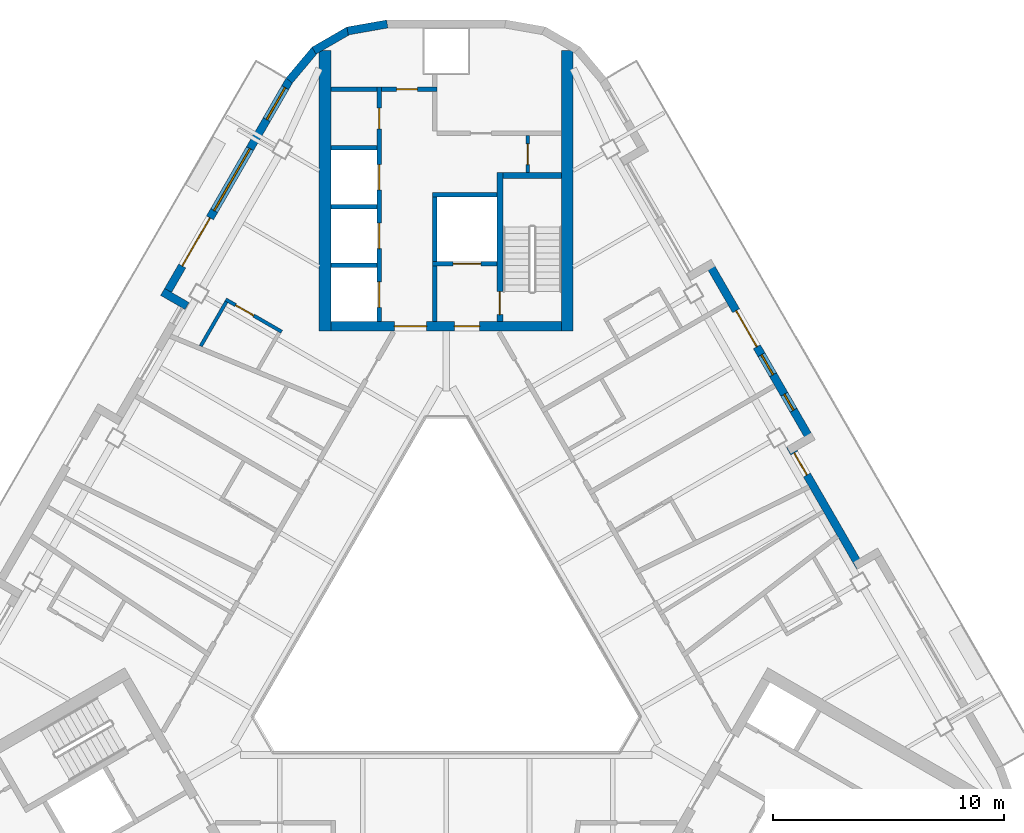
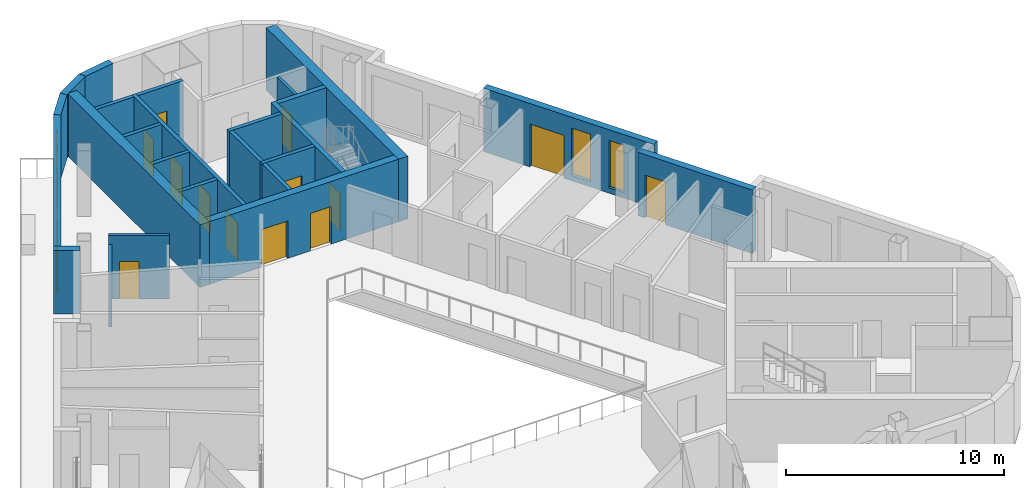
# One storey, part 7 of 13: 25 walls, 14 doors, 4 windows, 18 openings.
"""IFC4 building model written with IfcOpenShell, lengths in metres."""

from ifc_helpers import new_model, si_unit, direction, frame, frame_2d, origin, place, context, subcontext, project, spatial, rectangle, extrude, material, layer, layer_set, type_object, element, fill, save


model = new_model("IFC4")

# Units and contexts
model_context = context("Model", 3, precision=1e-05, world=origin(), true_north=direction((0.0, 1.0)))
body_context = subcontext(model_context, "Body", "Model", "MODEL_VIEW")
ifc_project = project(units=[si_unit("LENGTHUNIT", "METRE"), si_unit("AREAUNIT", "SQUARE_METRE"), si_unit("VOLUMEUNIT", "CUBIC_METRE"), si_unit("PLANEANGLEUNIT", "RADIAN"), si_unit("MASSUNIT", "GRAM", prefix="KILO")], contexts=[model_context])

# Site, building, storey
site_placement = place(None, origin())
site = spatial("IfcSite", under=ifc_project, at=site_placement, CompositionType="ELEMENT")
building_placement = place(site_placement, origin())
building = spatial("IfcBuilding", under=site, at=building_placement, Name="Apuvela Tower Hotel", CompositionType="ELEMENT")
storey_placement = place(building_placement, frame((0.0, 0.0, 283.699951171875)))
storey = spatial("IfcBuildingStorey", under=building, at=storey_placement, Name="L70", CompositionType="ELEMENT", Elevation=283.699951171875)

# Wall, openings, doors
ifc_material_1 = material(Name="Concrete C50/60", Category="concrete")
ifc_layer_1 = layer(ifc_material_1, 0.39990234375)
ifc_layer_set_1 = layer_set([ifc_layer_1], Name="COR-WALL-CORE-400")
wall_type_1 = type_object("IfcWallType", Name="COR-WALL-CORE-400", PredefinedType="SHEAR", material=ifc_layer_set_1)
wall_1_placement = place(storey_placement, frame((5.0, 13.10009765625, 0.0), z_axis=(0.0, 0.0, 1.0), x_axis=(-1.0, 0.0, 0.0)))
wall_1 = element("IfcWall", 1, at=wall_1_placement, inside=storey, type_object=wall_type_1, Name="Core wall N", PredefinedType="SHEAR", context=body_context, shape_type="SweptSolid", body=[
    extrude(rectangle(XDim=10.0, YDim=0.39990234375, at=frame_2d((5.0, 0.0))), origin(), (0.0, 0.0, 1.0), 3.5),
])
opening_1_placement = place(wall_1_placement, frame((3.550048828125, 0.0, 0.0)))
opening_1 = element("IfcOpeningElement", 2, at=opening_1_placement, cuts=wall_1, Name="Opening N-FD", PredefinedType="OPENING", context=body_context, shape_type="SweptSolid", body=[
    extrude(rectangle(XDim=1.10009765625, YDim=2.10009765625, at=frame_2d((0.550048828125, 1.050048828125))), frame((0.0, 0.2099609375, 0.0), z_axis=(0.0, -1.0, 0.0), x_axis=(1.0, 0.0, 0.0)), (0.0, 0.0, 1.0), 0.419921875),
])
opening_2_placement = place(wall_1_placement, frame((5.85009765625, 0.0, 0.0)))
opening_2 = element("IfcOpeningElement", 3, at=opening_2_placement, cuts=wall_1, Name="Opening N-GD", PredefinedType="OPENING", context=body_context, shape_type="SweptSolid", body=[
    extrude(rectangle(XDim=1.39990234375, YDim=2.10009765625, at=frame_2d((0.699951171875, 1.050048828125))), frame((0.0, 0.2099609375, 0.0), z_axis=(0.0, -1.0, 0.0), x_axis=(1.0, 0.0, 0.0)), (0.0, 0.0, 1.0), 0.419921875),
])
ifc_material_2 = material(Name="Steel fire door, powder coated", Category="steel")
door_type_1 = type_object("IfcDoorType", Name="COR-FD-1100", OperationType="NOTDEFINED", PredefinedType="DOOR", material=ifc_material_2)
door_1_placement = place(opening_1_placement, frame((1.10009765625, 0.0, 0.0), z_axis=(0.0, 0.0, 1.0), x_axis=(-1.0, 0.0, 0.0)))
door_1 = element("IfcDoor", 4, at=door_1_placement, inside=storey, type_object=door_type_1, Name="Firefighting lobby door N-FD", OperationType="SINGLE_SWING_LEFT", OverallHeight=2.10009765625, OverallWidth=1.10009765625, PredefinedType="DOOR", context=body_context, shape_type="SweptSolid", body=[
    extrude(rectangle(XDim=1.10009765625, YDim=2.10009765625, at=frame_2d((0.550048828125, 1.050048828125))), frame((0.0, 0.02490234375, 0.0), z_axis=(0.0, -1.0, 0.0), x_axis=(1.0, 0.0, 0.0)), (0.0, 0.0, 1.0), 0.050048828125),
])
fill(opening_1, door_1)
ifc_material_3 = material(Name="Glazed steel fire door", Category="steel")
door_type_2 = type_object("IfcDoorType", Name="COR-GD-1400", OperationType="DOUBLE_DOOR_SINGLE_SWING", PredefinedType="DOOR", material=ifc_material_3)
door_2_placement = place(opening_2_placement, frame((1.39990234375, 0.0, 0.0), z_axis=(0.0, 0.0, 1.0), x_axis=(-1.0, 0.0, 0.0)))
door_2 = element("IfcDoor", 5, at=door_2_placement, inside=storey, type_object=door_type_2, Name="Lift lobby door N-GD", OperationType="DOUBLE_DOOR_SINGLE_SWING", OverallHeight=2.10009765625, OverallWidth=1.39990234375, PredefinedType="DOOR", context=body_context, shape_type="SweptSolid", body=[
    extrude(rectangle(XDim=1.39990234375, YDim=2.10009765625, at=frame_2d((0.699951171875, 1.050048828125))), frame((0.0, 0.02490234375, 0.0), z_axis=(0.0, -1.0, 0.0), x_axis=(1.0, 0.0, 0.0)), (0.0, 0.0, 1.0), 0.050048828125),
])
fill(opening_2, door_2)

# Walls
ifc_layer_2 = layer(ifc_material_1, 0.5)
ifc_layer_set_2 = layer_set([ifc_layer_2], Name="COR-WALL-CORE-500")
wall_type_2 = type_object("IfcWallType", Name="COR-WALL-CORE-500", PredefinedType="SHEAR", material=ifc_layer_set_2)
for number, where, z_axis, x_axis, name in (
    (6, (5.25, 12.89990234375, 0.0), (0.0, 0.0, 1.0), (0.0, 1.0, 0.0), "Core wall N"),
    (7, (-5.25, 12.89990234375, 0.0), (0.0, 0.0, 1.0), (0.0, 1.0, 0.0), "Core wall N"),
):
    element("IfcWall", number, at=place(storey_placement, frame(where, z_axis=z_axis, x_axis=x_axis)), inside=storey, type_object=wall_type_2, Name=name, PredefinedType="SHEAR", context=body_context, shape_type="SweptSolid", body=[
        extrude(rectangle(XDim=12.12890625, YDim=0.5, at=frame_2d((6.064453125, 0.0))), origin(), (0.0, 0.0, 1.0), 3.5),
    ])

# Wall, opening, door
ifc_material_4 = material(Name="Blockwork 150 mm plastered", Category="masonry")
ifc_layer_3 = layer(ifc_material_4, 0.14990234375)
ifc_layer_set_3 = layer_set([ifc_layer_3], Name="COR-WALL-PART-150")
wall_type_3 = type_object("IfcWallType", Name="COR-WALL-PART-150", PredefinedType="PARTITIONING", material=ifc_layer_set_3)
wall_2_placement = place(storey_placement, frame((3.52490234375, 19.75, 0.0), z_axis=(0.0, 0.0, 1.0), x_axis=(0.0, 1.0, 0.0)))
wall_2 = element("IfcWall", 8, at=wall_2_placement, inside=storey, type_object=wall_type_3, Name="Partition N", PredefinedType="PARTITIONING", context=body_context, shape_type="SweptSolid", body=[
    extrude(rectangle(XDim=1.60009765625, YDim=0.14990234375, at=frame_2d((0.800048828125, 0.0))), origin(), (0.0, 0.0, 1.0), 3.5),
])
opening_3_placement = place(wall_2_placement, frame((0.35009765625, 0.0, 0.0)))
opening_3 = element("IfcOpeningElement", 9, at=opening_3_placement, cuts=wall_2, Name="Opening N-RD", PredefinedType="OPENING", context=body_context, shape_type="SweptSolid", body=[
    extrude(rectangle(XDim=0.89990234375, YDim=2.10009765625, at=frame_2d((0.449951171875, 1.050048828125))), frame((0.0, 0.0849609375, 0.0), z_axis=(0.0, -1.0, 0.0), x_axis=(1.0, 0.0, 0.0)), (0.0, 0.0, 1.0), 0.169921875),
])
ifc_material_5 = material(Name="Steel access door, powder coated", Category="steel")
door_type_3 = type_object("IfcDoorType", Name="COR-RD-900", OperationType="NOTDEFINED", PredefinedType="DOOR", material=ifc_material_5)
door_3_placement = place(opening_3_placement, frame((0.89990234375, 0.0, 0.0), z_axis=(0.0, 0.0, 1.0), x_axis=(-1.0, 0.0, 0.0)))
door_3 = element("IfcDoor", 10, at=door_3_placement, inside=storey, type_object=door_type_3, Name="Riser door N-RD", OperationType="SINGLE_SWING_RIGHT", OverallHeight=2.10009765625, OverallWidth=0.89990234375, PredefinedType="DOOR", context=body_context, shape_type="SweptSolid", body=[
    extrude(rectangle(XDim=0.89990234375, YDim=2.10009765625, at=frame_2d((0.449951171875, 1.050048828125))), frame((0.0, 0.02490234375, 0.0), z_axis=(0.0, -1.0, 0.0), x_axis=(1.0, 0.0, 0.0)), (0.0, 0.0, 1.0), 0.050048828125),
])
fill(opening_3, door_3)

# Wall
ifc_layer_4 = layer(ifc_material_1, 0.199951171875)
ifc_layer_set_4 = layer_set([ifc_layer_4], Name="COR-WALL-SHAFT-200")
wall_type_4 = type_object("IfcWallType", Name="COR-WALL-SHAFT-200", PredefinedType="SHEAR", material=ifc_layer_set_4)
wall_3_placement = place(storey_placement, frame((2.199951171875, 18.800048828125, 0.0), z_axis=(0.0, 0.0, 1.0), x_axis=(-1.0, 0.0, 0.0)))
element("IfcWall", 11, at=wall_3_placement, inside=storey, type_object=wall_type_4, Name="Shaft wall N", PredefinedType="SHEAR", context=body_context, shape_type="SweptSolid", body=[
    extrude(rectangle(XDim=2.800048828125, YDim=0.199951171875, at=frame_2d((1.39990234375, 0.0))), origin(), (0.0, 0.0, 1.0), 3.5),
])

# Wall, opening, door
wall_4_placement = place(storey_placement, frame((2.199951171875, 15.800048828125, 0.0), z_axis=(0.0, 0.0, 1.0), x_axis=(-1.0, 0.0, 0.0)))
wall_4 = element("IfcWall", 12, at=wall_4_placement, inside=storey, type_object=wall_type_4, Name="Shaft wall N", PredefinedType="SHEAR", context=body_context, shape_type="SweptSolid", body=[
    extrude(rectangle(XDim=2.800048828125, YDim=0.199951171875, at=frame_2d((1.39990234375, 0.0))), origin(), (0.0, 0.0, 1.0), 3.5),
])
opening_4_placement = place(wall_4_placement, frame((0.699951171875, 0.0, 0.0)))
opening_4 = element("IfcOpeningElement", 13, at=opening_4_placement, cuts=wall_4, Name="Opening N-LD-FS1", PredefinedType="OPENING", context=body_context, shape_type="SweptSolid", body=[
    extrude(rectangle(XDim=1.199951171875, YDim=2.10009765625, at=frame_2d((0.60009765625, 1.050048828125))), frame((0.0, 0.10986328125, 0.0), z_axis=(0.0, -1.0, 0.0), x_axis=(1.0, 0.0, 0.0)), (0.0, 0.0, 1.0), 0.219970703125),
])
ifc_material_6 = material(Name="Stainless steel lift landing door", Category="steel")
door_type_4 = type_object("IfcDoorType", Name="COR-LD-1200", OperationType="DOUBLE_DOOR_SLIDING", PredefinedType="DOOR", material=ifc_material_6)
door_4_placement = place(opening_4_placement, origin())
door_4 = element("IfcDoor", 14, at=door_4_placement, inside=storey, type_object=door_type_4, Name="Lift landing door N-LD-FS1", OperationType="DOUBLE_DOOR_SLIDING", OverallHeight=2.10009765625, OverallWidth=1.199951171875, PredefinedType="DOOR", context=body_context, shape_type="SweptSolid", body=[
    extrude(rectangle(XDim=1.199951171875, YDim=2.10009765625, at=frame_2d((0.60009765625, 1.050048828125))), frame((0.0, 0.02490234375, 0.0), z_axis=(0.0, -1.0, 0.0), x_axis=(1.0, 0.0, 0.0)), (0.0, 0.0, 1.0), 0.050048828125),
])
fill(opening_4, door_4)

# Walls
wall_5_placement = place(storey_placement, frame((-0.5, 15.89990234375, 0.0), z_axis=(0.0, 0.0, 1.0), x_axis=(0.0, 1.0, 0.0)))
element("IfcWall", 15, at=wall_5_placement, inside=storey, type_object=wall_type_4, Name="Shaft wall N", PredefinedType="SHEAR", context=body_context, shape_type="SweptSolid", body=[
    extrude(rectangle(XDim=2.800048828125, YDim=0.199951171875, at=frame_2d((1.39990234375, 0.0))), origin(), (0.0, 0.0, 1.0), 3.5),
])
wall_6_placement = place(storey_placement, frame((-0.5, 13.300048828125, 0.0), z_axis=(0.0, 0.0, 1.0), x_axis=(0.0, 1.0, 0.0)))
element("IfcWall", 16, at=wall_6_placement, inside=storey, type_object=wall_type_4, Name="Shaft wall N", PredefinedType="SHEAR", context=body_context, shape_type="SweptSolid", body=[
    extrude(rectangle(XDim=2.39990234375, YDim=0.199951171875, at=frame_2d((1.199951171875, 0.0))), origin(), (0.0, 0.0, 1.0), 3.5),
])

# Wall, openings, doors
wall_7_placement = place(storey_placement, frame((-2.89990234375, 13.300048828125, 0.0), z_axis=(0.0, 0.0, 1.0), x_axis=(0.0, 1.0, 0.0)))
wall_7 = element("IfcWall", 17, at=wall_7_placement, inside=storey, type_object=wall_type_4, Name="Shaft wall N", PredefinedType="SHEAR", context=body_context, shape_type="SweptSolid", body=[
    extrude(rectangle(XDim=10.159912109375, YDim=0.199951171875, at=frame_2d((5.080078125, 0.0))), origin(), (0.0, 0.0, 1.0), 3.5),
])
opening_5_placement = place(wall_7_placement, frame((0.6201171875, 0.0, 0.0)))
opening_5 = element("IfcOpeningElement", 18, at=opening_5_placement, cuts=wall_7, Name="Opening N-LD-HR1", PredefinedType="OPENING", context=body_context, shape_type="SweptSolid", body=[
    extrude(rectangle(XDim=1.10009765625, YDim=2.10009765625, at=frame_2d((0.550048828125, 1.050048828125))), frame((0.0, 0.10986328125, 0.0), z_axis=(0.0, -1.0, 0.0), x_axis=(1.0, 0.0, 0.0)), (0.0, 0.0, 1.0), 0.219970703125),
])
opening_6_placement = place(wall_7_placement, frame((3.159912109375, 0.0, 0.0)))
opening_6 = element("IfcOpeningElement", 19, at=opening_6_placement, cuts=wall_7, Name="Opening N-LD-HR2", PredefinedType="OPENING", context=body_context, shape_type="SweptSolid", body=[
    extrude(rectangle(XDim=1.10009765625, YDim=2.10009765625, at=frame_2d((0.550048828125, 1.050048828125))), frame((0.0, 0.10986328125, 0.0), z_axis=(0.0, -1.0, 0.0), x_axis=(1.0, 0.0, 0.0)), (0.0, 0.0, 1.0), 0.219970703125),
])
opening_7_placement = place(wall_7_placement, frame((5.699951171875, 0.0, 0.0)))
opening_7 = element("IfcOpeningElement", 20, at=opening_7_placement, cuts=wall_7, Name="Opening N-LD-HR4", PredefinedType="OPENING", context=body_context, shape_type="SweptSolid", body=[
    extrude(rectangle(XDim=1.10009765625, YDim=2.10009765625, at=frame_2d((0.550048828125, 1.050048828125))), frame((0.0, 0.10986328125, 0.0), z_axis=(0.0, -1.0, 0.0), x_axis=(1.0, 0.0, 0.0)), (0.0, 0.0, 1.0), 0.219970703125),
])
opening_8_placement = place(wall_7_placement, frame((8.340087890625, 0.0, 0.0)))
opening_8 = element("IfcOpeningElement", 21, at=opening_8_placement, cuts=wall_7, Name="Opening N-RE4", PredefinedType="OPENING", context=body_context, shape_type="SweptSolid", body=[
    extrude(rectangle(XDim=0.89990234375, YDim=2.10009765625, at=frame_2d((0.449951171875, 1.050048828125))), frame((0.0, 0.10986328125, 0.0), z_axis=(0.0, -1.0, 0.0), x_axis=(1.0, 0.0, 0.0)), (0.0, 0.0, 1.0), 0.219970703125),
])
door_type_5 = type_object("IfcDoorType", Name="COR-DR-900", OperationType="NOTDEFINED", PredefinedType="DOOR", material=ifc_material_2)
door_5_placement = place(opening_8_placement, origin())
door_5 = element("IfcDoor", 22, at=door_5_placement, inside=storey, type_object=door_type_5, Name="Store door N-RE4", OperationType="SINGLE_SWING_LEFT", OverallHeight=2.10009765625, OverallWidth=0.89990234375, PredefinedType="DOOR", context=body_context, shape_type="SweptSolid", body=[
    extrude(rectangle(XDim=0.89990234375, YDim=2.10009765625, at=frame_2d((0.449951171875, 1.050048828125))), frame((0.0, 0.02490234375, 0.0), z_axis=(0.0, -1.0, 0.0), x_axis=(1.0, 0.0, 0.0)), (0.0, 0.0, 1.0), 0.050048828125),
])
fill(opening_8, door_5)
door_type_6 = type_object("IfcDoorType", Name="COR-LD-1100", OperationType="DOUBLE_DOOR_SLIDING", PredefinedType="DOOR", material=ifc_material_6)
door_6_placement = place(opening_5_placement, origin())
door_6 = element("IfcDoor", 23, at=door_6_placement, inside=storey, type_object=door_type_6, Name="Lift landing door N-LD-HR1", OperationType="DOUBLE_DOOR_SLIDING", OverallHeight=2.10009765625, OverallWidth=1.10009765625, PredefinedType="DOOR", context=body_context, shape_type="SweptSolid", body=[
    extrude(rectangle(XDim=1.10009765625, YDim=2.10009765625, at=frame_2d((0.550048828125, 1.050048828125))), frame((0.0, 0.02490234375, 0.0), z_axis=(0.0, -1.0, 0.0), x_axis=(1.0, 0.0, 0.0)), (0.0, 0.0, 1.0), 0.050048828125),
])
fill(opening_5, door_6)
door_7_placement = place(opening_6_placement, origin())
door_7 = element("IfcDoor", 24, at=door_7_placement, inside=storey, type_object=door_type_6, Name="Lift landing door N-LD-HR2", OperationType="DOUBLE_DOOR_SLIDING", OverallHeight=2.10009765625, OverallWidth=1.10009765625, PredefinedType="DOOR", context=body_context, shape_type="SweptSolid", body=[
    extrude(rectangle(XDim=1.10009765625, YDim=2.10009765625, at=frame_2d((0.550048828125, 1.050048828125))), frame((0.0, 0.02490234375, 0.0), z_axis=(0.0, -1.0, 0.0), x_axis=(1.0, 0.0, 0.0)), (0.0, 0.0, 1.0), 0.050048828125),
])
fill(opening_6, door_7)
door_8_placement = place(opening_7_placement, origin())
door_8 = element("IfcDoor", 25, at=door_8_placement, inside=storey, type_object=door_type_6, Name="Lift landing door N-LD-HR4", OperationType="DOUBLE_DOOR_SLIDING", OverallHeight=2.10009765625, OverallWidth=1.10009765625, PredefinedType="DOOR", context=body_context, shape_type="SweptSolid", body=[
    extrude(rectangle(XDim=1.10009765625, YDim=2.10009765625, at=frame_2d((0.550048828125, 1.050048828125))), frame((0.0, 0.02490234375, 0.0), z_axis=(0.0, -1.0, 0.0), x_axis=(1.0, 0.0, 0.0)), (0.0, 0.0, 1.0), 0.050048828125),
])
fill(opening_7, door_8)

# Wall, opening, door
wall_8_placement = place(storey_placement, frame((-0.39990234375, 23.360107421875, 0.0), z_axis=(0.0, 0.0, 1.0), x_axis=(-1.0, 0.0, 0.0)))
wall_8 = element("IfcWall", 26, at=wall_8_placement, inside=storey, type_object=wall_type_4, Name="Shaft wall N", PredefinedType="SHEAR", context=body_context, shape_type="SweptSolid", body=[
    extrude(rectangle(XDim=2.400146484375, YDim=0.199951171875, at=frame_2d((1.2001953125, 0.0))), origin(), (0.0, 0.0, 1.0), 3.5),
])
opening_9_placement = place(wall_8_placement, frame((0.85009765625, 0.0, 0.0)))
opening_9 = element("IfcOpeningElement", 27, at=opening_9_placement, cuts=wall_8, Name="Opening N-REP", PredefinedType="OPENING", context=body_context, shape_type="SweptSolid", body=[
    extrude(rectangle(XDim=0.89990234375, YDim=2.10009765625, at=frame_2d((0.449951171875, 1.050048828125))), frame((0.0, 0.10986328125, 0.0), z_axis=(0.0, -1.0, 0.0), x_axis=(1.0, 0.0, 0.0)), (0.0, 0.0, 1.0), 0.219970703125),
])
door_9_placement = place(opening_9_placement, frame((0.89990234375, 0.0, 0.0), z_axis=(0.0, 0.0, 1.0), x_axis=(-1.0, 0.0, 0.0)))
door_9 = element("IfcDoor", 28, at=door_9_placement, inside=storey, type_object=door_type_5, Name="Store door N-REP", OperationType="SINGLE_SWING_LEFT", OverallHeight=2.10009765625, OverallWidth=0.89990234375, PredefinedType="DOOR", context=body_context, shape_type="SweptSolid", body=[
    extrude(rectangle(XDim=0.89990234375, YDim=2.10009765625, at=frame_2d((0.449951171875, 1.050048828125))), frame((0.0, 0.02490234375, 0.0), z_axis=(0.0, -1.0, 0.0), x_axis=(1.0, 0.0, 0.0)), (0.0, 0.0, 1.0), 0.050048828125),
])
fill(opening_9, door_9)

# Walls
for number, where, z_axis, x_axis, name in (
    (29, (-3.0, 15.739990234375, 0.0), (0.0, 0.0, 1.0), (-1.0, 0.0, 0.0), "Shaft wall N"),
    (30, (-3.0, 18.280029296875, 0.0), (0.0, 0.0, 1.0), (-1.0, 0.0, 0.0), "Shaft wall N"),
    (31, (-3.0, 20.820068359375, 0.0), (0.0, 0.0, 1.0), (-1.0, 0.0, 0.0), "Shaft wall N"),
    (32, (-3.0, 23.360107421875, 0.0), (0.0, 0.0, 1.0), (-1.0, 0.0, 0.0), "Shaft wall N"),
):
    element("IfcWall", number, at=place(storey_placement, frame(where, z_axis=z_axis, x_axis=x_axis)), inside=storey, type_object=wall_type_4, Name=name, PredefinedType="SHEAR", context=body_context, shape_type="SweptSolid", body=[
        extrude(rectangle(XDim=2.0, YDim=0.199951171875, at=frame_2d((1.0, 0.0))), origin(), (0.0, 0.0, 1.0), 3.5),
    ])

# Wall, opening, door
ifc_layer_5 = layer(ifc_material_1, 0.25)
ifc_layer_set_5 = layer_set([ifc_layer_5], Name="COR-WALL-STAIR-250")
wall_type_5 = type_object("IfcWallType", Name="COR-WALL-STAIR-250", PredefinedType="SHEAR", material=ifc_layer_set_5)
wall_9_placement = place(storey_placement, frame((2.324951171875, 13.300048828125, 0.0), z_axis=(0.0, 0.0, 1.0), x_axis=(0.0, 1.0, 0.0)))
wall_9 = element("IfcWall", 33, at=wall_9_placement, inside=storey, type_object=wall_type_5, Name="Stair wall N", PredefinedType="SHEAR", context=body_context, shape_type="SweptSolid", body=[
    extrude(rectangle(XDim=6.449951171875, YDim=0.25, at=frame_2d((3.22509765625, 0.0))), origin(), (0.0, 0.0, 1.0), 3.5),
])
opening_10_placement = place(wall_9_placement, frame((0.300048828125, 0.0, 0.0)))
opening_10 = element("IfcOpeningElement", 34, at=opening_10_placement, cuts=wall_9, Name="Opening N-SD", PredefinedType="OPENING", context=body_context, shape_type="SweptSolid", body=[
    extrude(rectangle(XDim=1.0, YDim=2.10009765625, at=frame_2d((0.5, 1.050048828125))), frame((0.0, 0.135009765625, 0.0), z_axis=(0.0, -1.0, 0.0), x_axis=(1.0, 0.0, 0.0)), (0.0, 0.0, 1.0), 0.27001953125),
])
door_type_7 = type_object("IfcDoorType", Name="COR-SD-1000", OperationType="NOTDEFINED", PredefinedType="DOOR", material=ifc_material_2)
door_10_placement = place(opening_10_placement, frame((1.0, 0.0, 0.0), z_axis=(0.0, 0.0, 1.0), x_axis=(-1.0, 0.0, 0.0)))
door_10 = element("IfcDoor", 35, at=door_10_placement, inside=storey, type_object=door_type_7, Name="Stair door N-SD", OperationType="SINGLE_SWING_LEFT", OverallHeight=2.10009765625, OverallWidth=1.0, PredefinedType="DOOR", context=body_context, shape_type="SweptSolid", body=[
    extrude(rectangle(XDim=1.0, YDim=2.10009765625, at=frame_2d((0.5, 1.050048828125))), frame((0.0, 0.02490234375, 0.0), z_axis=(0.0, -1.0, 0.0), x_axis=(1.0, 0.0, 0.0)), (0.0, 0.0, 1.0), 0.050048828125),
])
fill(opening_10, door_10)

# Wall
wall_10_placement = place(storey_placement, frame((5.0, 19.625, 0.0), z_axis=(0.0, 0.0, 1.0), x_axis=(-1.0, 0.0, 0.0)))
element("IfcWall", 36, at=wall_10_placement, inside=storey, type_object=wall_type_5, Name="Stair wall N", PredefinedType="SHEAR", context=body_context, shape_type="SweptSolid", body=[
    extrude(rectangle(XDim=2.550048828125, YDim=0.25, at=frame_2d((1.27490234375, 0.0))), origin(), (0.0, 0.0, 1.0), 3.5),
])

# Wall, openings, door, windows
ifc_material_7 = material(Name="Concrete C40/50, dark pigmented precast panel", Category="concrete")
ifc_layer_6 = layer(ifc_material_7, 0.35009765625)
ifc_layer_set_6 = layer_set([ifc_layer_6], Name="ENV-WALL-350")
wall_type_6 = type_object("IfcWallType", Name="ENV-WALL-350", PredefinedType="SOLIDWALL", material=ifc_layer_set_6)
wall_11_placement = place(storey_placement, frame((-6.78271484375, 23.759521484375, 0.0), z_axis=(0.0, 0.0, 1.0), x_axis=(-0.500001780095, -0.866024376044, 0.0)))
wall_11 = element("IfcWall", 37, at=wall_11_placement, inside=storey, type_object=wall_type_6, Name="External wall L70-01", PredefinedType="SOLIDWALL", context=body_context, shape_type="SweptSolid", body=[
    extrude(rectangle(XDim=10.86962890625, YDim=0.35009765625, at=frame_2d((5.434814453125, 0.0))), origin(), (0.0, 0.0, 1.0), 3.550048828125),
])
opening_11_placement = place(wall_11_placement, frame((0.380615234375, 0.0, 0.300048828125)))
opening_11 = element("IfcOpeningElement", 38, at=opening_11_placement, cuts=wall_11, Name="Opening WN16", PredefinedType="OPENING", context=body_context, shape_type="SweptSolid", body=[
    extrude(rectangle(XDim=1.60009765625, YDim=2.64990234375, at=frame_2d((0.800048828125, 1.324951171875))), frame((0.0, 0.18505859375, 0.0), z_axis=(0.0, -1.0, 0.0), x_axis=(1.0, 0.0, 0.0)), (0.0, 0.0, 1.0), 0.3701171875),
])
opening_12_placement = place(wall_11_placement, frame((6.894775390625, 0.0, 0.0)))
opening_12 = element("IfcOpeningElement", 39, at=opening_12_placement, cuts=wall_11, Name="Opening BD24", PredefinedType="OPENING", context=body_context, shape_type="SweptSolid", body=[
    extrude(rectangle(XDim=2.39990234375, YDim=2.39990234375, at=frame_2d((1.199951171875, 1.199951171875))), frame((0.0, 0.18505859375, 0.0), z_axis=(0.0, -1.0, 0.0), x_axis=(1.0, 0.0, 0.0)), (0.0, 0.0, 1.0), 0.3701171875),
])
opening_13_placement = place(wall_11_placement, frame((3.429443359375, 0.0, 0.300048828125)))
opening_13 = element("IfcOpeningElement", 40, at=opening_13_placement, cuts=wall_11, Name="Opening WN31", PredefinedType="OPENING", context=body_context, shape_type="SweptSolid", body=[
    extrude(rectangle(XDim=3.10009765625, YDim=2.64990234375, at=frame_2d((1.550048828125, 1.324951171875))), frame((0.0, 0.18505859375, 0.0), z_axis=(0.0, -1.0, 0.0), x_axis=(1.0, 0.0, 0.0)), (0.0, 0.0, 1.0), 0.3701171875),
])
ifc_material_8 = material(Name="Aluminium 6063-T6, dark bronze anodised frame with dark tinted laminated glass", Category="aluminium")
door_type_8 = type_object("IfcDoorType", Name="ENV-DOOR-BALCONY-2400x2400", OperationType="SLIDING_TO_LEFT", PredefinedType="DOOR", material=ifc_material_8)
door_11_placement = place(opening_12_placement, frame((2.39990234375, 0.0, 0.0), z_axis=(0.0, 0.0, 1.0), x_axis=(-1.0, 0.0, 0.0)))
door_11 = element("IfcDoor", 41, at=door_11_placement, inside=storey, type_object=door_type_8, Name="Balcony door BD24", OperationType="SLIDING_TO_LEFT", OverallHeight=2.39990234375, OverallWidth=2.39990234375, PredefinedType="DOOR", context=body_context, shape_type="SweptSolid", body=[
    extrude(rectangle(XDim=2.39990234375, YDim=2.39990234375, at=frame_2d((1.199951171875, 1.199951171875))), frame((0.0, 0.02490234375, 0.0), z_axis=(0.0, -1.0, 0.0), x_axis=(1.0, 0.0, 0.0)), (0.0, 0.0, 1.0), 0.050048828125),
])
fill(opening_12, door_11)
ifc_material_9 = material(Name="Glass, dark tinted laminated insulated glazing unit", Category="glass")
window_type_1 = type_object("IfcWindowType", Name="ENV-WIN-1600x2650", PartitioningType="SINGLE_PANEL", PredefinedType="WINDOW", material=ifc_material_9)
window_1_placement = place(opening_11_placement, origin())
window_1 = element("IfcWindow", 42, at=window_1_placement, inside=storey, type_object=window_type_1, Name="Window WN16", OverallHeight=2.64990234375, OverallWidth=1.60009765625, PartitioningType="SINGLE_PANEL", PredefinedType="WINDOW", context=body_context, shape_type="SweptSolid", body=[
    extrude(rectangle(XDim=1.60009765625, YDim=2.64990234375, at=frame_2d((0.800048828125, 1.324951171875))), frame((0.0, 0.030029296875, 0.0), z_axis=(0.0, -1.0, 0.0), x_axis=(1.0, 0.0, 0.0)), (0.0, 0.0, 1.0), 0.06005859375),
])
fill(opening_11, window_1)
window_type_2 = type_object("IfcWindowType", Name="ENV-WIN-3100x2650", PartitioningType="SINGLE_PANEL", PredefinedType="WINDOW", material=ifc_material_9)
window_2_placement = place(opening_13_placement, origin())
window_2 = element("IfcWindow", 43, at=window_2_placement, inside=storey, type_object=window_type_2, Name="Window WN31", OverallHeight=2.64990234375, OverallWidth=3.10009765625, PartitioningType="SINGLE_PANEL", PredefinedType="WINDOW", context=body_context, shape_type="SweptSolid", body=[
    extrude(rectangle(XDim=3.10009765625, YDim=2.64990234375, at=frame_2d((1.550048828125, 1.324951171875))), frame((0.0, 0.030029296875, 0.0), z_axis=(0.0, -1.0, 0.0), x_axis=(1.0, 0.0, 0.0)), (0.0, 0.0, 1.0), 0.06005859375),
])
fill(opening_13, window_2)

# Wall
wall_12_placement = place(storey_placement, frame((-12.281494140625, 14.585205078125, 0.0), z_axis=(0.0, 0.0, 1.0), x_axis=(0.866005645448, -0.500034220881, 0.0)))
element("IfcWall", 44, at=wall_12_placement, inside=storey, type_object=wall_type_6, Name="External wall L70-02", PredefinedType="SOLIDWALL", context=body_context, shape_type="SweptSolid", body=[
    extrude(rectangle(XDim=1.22021484375, YDim=0.35009765625, at=frame_2d((0.610107421875, 0.0))), origin(), (0.0, 0.0, 1.0), 3.550048828125),
])

# Wall, opening, door
wall_13_placement = place(storey_placement, frame((17.913330078125, 2.680419921875, 0.0), z_axis=(0.0, 0.0, 1.0), x_axis=(-0.499985371027, 0.866033849661, 0.0)))
wall_13 = element("IfcWall", 45, at=wall_13_placement, inside=storey, type_object=wall_type_6, Name="External wall L70-35", PredefinedType="SOLIDWALL", context=body_context, shape_type="SweptSolid", body=[
    extrude(rectangle(XDim=6.055419921875, YDim=0.35009765625, at=frame_2d((3.02783203125, 0.0))), origin(), (0.0, 0.0, 1.0), 3.550048828125),
])
opening_14_placement = place(wall_13_placement, frame((4.58984375, 0.0, 0.0)))
opening_14 = element("IfcOpeningElement", 46, at=opening_14_placement, cuts=wall_13, Name="Opening BD11", PredefinedType="OPENING", context=body_context, shape_type="SweptSolid", body=[
    extrude(rectangle(XDim=1.10009765625, YDim=2.39990234375, at=frame_2d((0.550048828125, 1.199951171875))), frame((0.0, 0.18505859375, 0.0), z_axis=(0.0, -1.0, 0.0), x_axis=(1.0, 0.0, 0.0)), (0.0, 0.0, 1.0), 0.3701171875),
])
door_type_9 = type_object("IfcDoorType", Name="ENV-DOOR-BALCONY-1100x2400", OperationType="SLIDING_TO_LEFT", PredefinedType="DOOR", material=ifc_material_8)
door_12_placement = place(opening_14_placement, frame((1.10009765625, 0.0, 0.0), z_axis=(0.0, 0.0, 1.0), x_axis=(-1.0, 0.0, 0.0)))
door_12 = element("IfcDoor", 47, at=door_12_placement, inside=storey, type_object=door_type_9, Name="Balcony door BD11", OperationType="SLIDING_TO_LEFT", OverallHeight=2.39990234375, OverallWidth=1.10009765625, PredefinedType="DOOR", context=body_context, shape_type="SweptSolid", body=[
    extrude(rectangle(XDim=1.10009765625, YDim=2.39990234375, at=frame_2d((0.550048828125, 1.199951171875))), frame((0.0, 0.02490234375, 0.0), z_axis=(0.0, -1.0, 0.0), x_axis=(1.0, 0.0, 0.0)), (0.0, 0.0, 1.0), 0.050048828125),
])
fill(opening_14, door_12)

# Wall, openings, door, windows
wall_14_placement = place(storey_placement, frame((15.8251953125, 8.097412109375, 0.0), z_axis=(0.0, 0.0, 1.0), x_axis=(-0.500006872736, 0.866021435772, 0.0)))
wall_14 = element("IfcWall", 48, at=wall_14_placement, inside=storey, type_object=wall_type_6, Name="External wall L70-37", PredefinedType="SOLIDWALL", context=body_context, shape_type="SweptSolid", body=[
    extrude(rectangle(XDim=9.015380859375, YDim=0.35009765625, at=frame_2d((4.5078125, 0.0))), origin(), (0.0, 0.0, 1.0), 3.550048828125),
])
opening_15_placement = place(wall_14_placement, frame((1.5751953125, 0.0, 0.300048828125)))
opening_15 = element("IfcOpeningElement", 49, at=opening_15_placement, cuts=wall_14, Name="Opening WN08", PredefinedType="OPENING", context=body_context, shape_type="SweptSolid", body=[
    extrude(rectangle(XDim=0.800048828125, YDim=2.64990234375, at=frame_2d((0.39990234375, 1.324951171875))), frame((0.0, 0.18505859375, 0.0), z_axis=(0.0, -1.0, 0.0), x_axis=(1.0, 0.0, 0.0)), (0.0, 0.0, 1.0), 0.3701171875),
])
opening_16_placement = place(wall_14_placement, frame((4.75, 0.0, 0.0)))
opening_16 = element("IfcOpeningElement", 50, at=opening_16_placement, cuts=wall_14, Name="Opening BD18", PredefinedType="OPENING", context=body_context, shape_type="SweptSolid", body=[
    extrude(rectangle(XDim=1.800048828125, YDim=2.39990234375, at=frame_2d((0.89990234375, 1.199951171875))), frame((0.0, 0.18505859375, 0.0), z_axis=(0.0, -1.0, 0.0), x_axis=(1.0, 0.0, 0.0)), (0.0, 0.0, 1.0), 0.3701171875),
])
opening_17_placement = place(wall_14_placement, frame((3.35009765625, 0.0, 0.300048828125)))
opening_17 = element("IfcOpeningElement", 51, at=opening_17_placement, cuts=wall_14, Name="Opening WN10", PredefinedType="OPENING", context=body_context, shape_type="SweptSolid", body=[
    extrude(rectangle(XDim=1.0, YDim=2.64990234375, at=frame_2d((0.5, 1.324951171875))), frame((0.0, 0.18505859375, 0.0), z_axis=(0.0, -1.0, 0.0), x_axis=(1.0, 0.0, 0.0)), (0.0, 0.0, 1.0), 0.3701171875),
])
door_type_10 = type_object("IfcDoorType", Name="ENV-DOOR-BALCONY-1800x2400", OperationType="SLIDING_TO_LEFT", PredefinedType="DOOR", material=ifc_material_8)
door_13_placement = place(opening_16_placement, frame((1.800048828125, 0.0, 0.0), z_axis=(0.0, 0.0, 1.0), x_axis=(-1.0, 0.0, 0.0)))
door_13 = element("IfcDoor", 52, at=door_13_placement, inside=storey, type_object=door_type_10, Name="Balcony door BD18", OperationType="SLIDING_TO_LEFT", OverallHeight=2.39990234375, OverallWidth=1.800048828125, PredefinedType="DOOR", context=body_context, shape_type="SweptSolid", body=[
    extrude(rectangle(XDim=1.800048828125, YDim=2.39990234375, at=frame_2d((0.89990234375, 1.199951171875))), frame((0.0, 0.02490234375, 0.0), z_axis=(0.0, -1.0, 0.0), x_axis=(1.0, 0.0, 0.0)), (0.0, 0.0, 1.0), 0.050048828125),
])
fill(opening_16, door_13)
window_type_3 = type_object("IfcWindowType", Name="ENV-WIN-1000x2650", PartitioningType="SINGLE_PANEL", PredefinedType="WINDOW", material=ifc_material_9)
window_3_placement = place(opening_17_placement, origin())
window_3 = element("IfcWindow", 53, at=window_3_placement, inside=storey, type_object=window_type_3, Name="Window WN10", OverallHeight=2.64990234375, OverallWidth=1.0, PartitioningType="SINGLE_PANEL", PredefinedType="WINDOW", context=body_context, shape_type="SweptSolid", body=[
    extrude(rectangle(XDim=1.0, YDim=2.64990234375, at=frame_2d((0.5, 1.324951171875))), frame((0.0, 0.030029296875, 0.0), z_axis=(0.0, -1.0, 0.0), x_axis=(1.0, 0.0, 0.0)), (0.0, 0.0, 1.0), 0.06005859375),
])
fill(opening_17, window_3)
window_type_4 = type_object("IfcWindowType", Name="ENV-WIN-800x2650", PartitioningType="SINGLE_PANEL", PredefinedType="WINDOW", material=ifc_material_9)
window_4_placement = place(opening_15_placement, origin())
window_4 = element("IfcWindow", 54, at=window_4_placement, inside=storey, type_object=window_type_4, Name="Window WN08", OverallHeight=2.64990234375, OverallWidth=0.800048828125, PartitioningType="SINGLE_PANEL", PredefinedType="WINDOW", context=body_context, shape_type="SweptSolid", body=[
    extrude(rectangle(XDim=0.800048828125, YDim=2.64990234375, at=frame_2d((0.39990234375, 1.324951171875))), frame((0.0, 0.030029296875, 0.0), z_axis=(0.0, -1.0, 0.0), x_axis=(1.0, 0.0, 0.0)), (0.0, 0.0, 1.0), 0.06005859375),
])
fill(opening_15, window_4)

# Walls
for number, where, z_axis, x_axis, name in (
    (55, (-2.553466796875, 26.1865234375, 0.0), (0.0, 0.0, 1.0), (-0.984803276474, -0.173673563465, 0.0), "External wall L70-46"),
    (56, (-4.21435546875, 25.904296875, 0.0), (0.0, 0.0, 1.0), (-0.866038783226, -0.499976825411, 0.0), "External wall L70-47"),
    (57, (-5.6787109375, 25.071044921875, 0.0), (0.0, 0.0, 1.0), (-0.642768607723, -0.766060387258, 0.0), "External wall L70-48"),
):
    element("IfcWall", number, at=place(storey_placement, frame(where, z_axis=z_axis, x_axis=x_axis)), inside=storey, type_object=wall_type_6, Name=name, PredefinedType="SOLIDWALL", context=body_context, shape_type="SweptSolid", body=[
        extrude(rectangle(XDim=1.74462890625, YDim=0.35009765625, at=frame_2d((0.872314453125, 0.0))), origin(), (0.0, 0.0, 1.0), 3.550048828125),
    ])

# Wall, opening, door
ifc_material_10 = material(Name="Moisture-resistant gypsum board wet wall on steel stud", Category="steel")
ifc_layer_7 = layer(ifc_material_10, 0.14990234375)
ifc_layer_set_7 = layer_set([ifc_layer_7], Name="GST-PW3")
wall_type_7 = type_object("IfcWallType", Name="GST-PW3", PredefinedType="PARTITIONING", material=ifc_layer_set_7)
wall_15_placement = place(storey_placement, frame((-7.12451171875, 12.860107421875, 0.0), z_axis=(0.0, 0.0, 1.0), x_axis=(-0.866034573852, 0.49998411664, 0.0)))
wall_15 = element("IfcWall", 58, at=wall_15_placement, inside=storey, type_object=wall_type_7, Name="L70 partition 40", PredefinedType="PARTITIONING", context=body_context, shape_type="SweptSolid", body=[
    extrude(rectangle(XDim=2.7998046875, YDim=0.14990234375, at=frame_2d((1.39990234375, 0.0))), origin(), (0.0, 0.0, 1.0), 3.550048828125),
])
opening_18_placement = place(wall_15_placement, frame((1.39990234375, 0.0, 0.0)))
opening_18 = element("IfcOpeningElement", 59, at=opening_18_placement, cuts=wall_15, Name="Opening GD28-17", PredefinedType="OPENING", context=body_context, shape_type="SweptSolid", body=[
    extrude(rectangle(XDim=0.89990234375, YDim=2.10009765625, at=frame_2d((0.449951171875, 1.050048828125))), frame((0.0, 0.0849609375, 0.0), z_axis=(0.0, -1.0, 0.0), x_axis=(1.0, 0.0, 0.0)), (0.0, 0.0, 1.0), 0.169921875),
])
ifc_material_11 = material(Name="Timber door leaf in steel frame", Category="steel")
door_type_11 = type_object("IfcDoorType", Name="GST-D2", OperationType="NOTDEFINED", PredefinedType="DOOR", material=ifc_material_11)
door_14_placement = place(opening_18_placement, origin())
door_14 = element("IfcDoor", 60, at=door_14_placement, inside=storey, type_object=door_type_11, Name="Door L70-17", OperationType="SINGLE_SWING_RIGHT", OverallHeight=2.10009765625, OverallWidth=0.89990234375, PredefinedType="DOOR", context=body_context, shape_type="SweptSolid", body=[
    extrude(rectangle(XDim=0.89990234375, YDim=2.10009765625, at=frame_2d((0.449951171875, 1.050048828125))), frame((0.0, 0.02490234375, 0.0), z_axis=(0.0, -1.0, 0.0), x_axis=(1.0, 0.0, 0.0)), (0.0, 0.0, 1.0), 0.050048828125),
])
fill(opening_18, door_14)

# Wall
wall_16_placement = place(storey_placement, frame((-9.52197265625, 14.15771484375, 0.0), z_axis=(0.0, 0.0, 1.0), x_axis=(-0.49990681678, -0.866079196458, 0.0)))
element("IfcWall", 61, at=wall_16_placement, inside=storey, type_object=wall_type_7, Name="L70 partition 41", PredefinedType="PARTITIONING", context=body_context, shape_type="SweptSolid", body=[
    extrude(rectangle(XDim=2.21630859375, YDim=0.14990234375, at=frame_2d((1.108154296875, 0.0))), origin(), (0.0, 0.0, 1.0), 3.050048828125),
])

save(model, "model.ifc")
